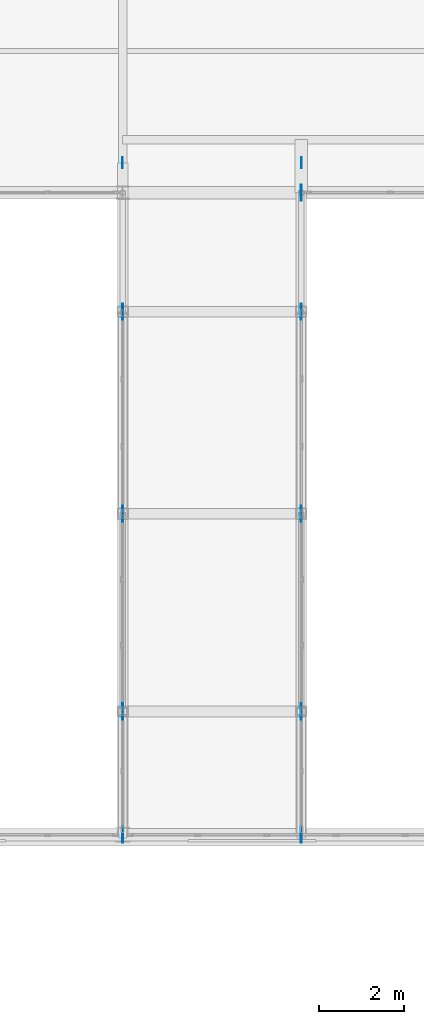
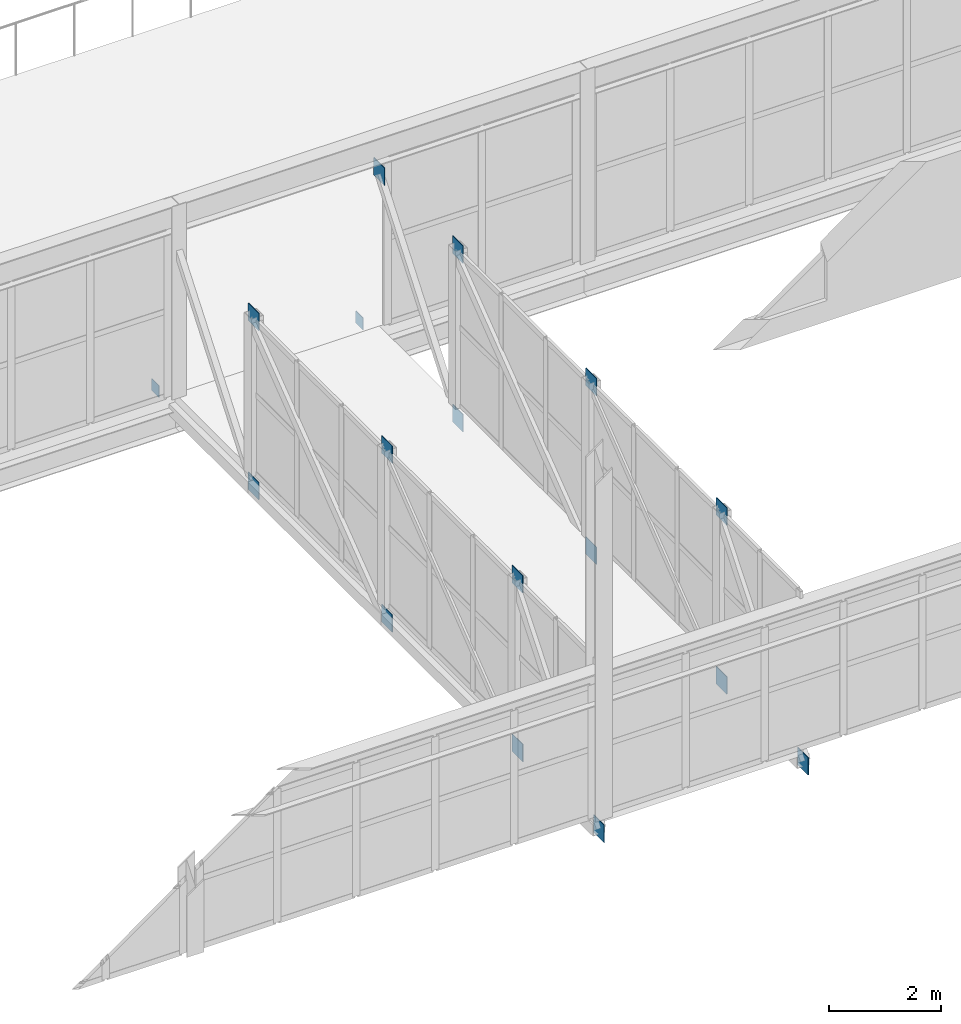
# One storey, part 196 of 218: 17 plates.
"""IFC4 building model written with IfcOpenShell, lengths in metres."""

from ifc_helpers import new_model, si_unit, direction, frame, origin, origin_2d, place, context, subcontext, project, spatial, rectangle, extrude, material, layer, layer_set, type_object, element, save


model = new_model("IFC4")

# Units and contexts
model_context = context("Model", 3, precision=1e-05, world=origin(), true_north=direction((0.0, 1.0)))
body_context = subcontext(model_context, "Body", "Model", "MODEL_VIEW")
ifc_project = project(units=[si_unit("LENGTHUNIT", "METRE"), si_unit("AREAUNIT", "SQUARE_METRE"), si_unit("VOLUMEUNIT", "CUBIC_METRE"), si_unit("PLANEANGLEUNIT", "RADIAN"), si_unit("MASSUNIT", "GRAM", prefix="KILO")], contexts=[model_context])

# Site, building, storey
site_placement = place(None, origin())
site = spatial("IfcSite", under=ifc_project, at=site_placement, CompositionType="ELEMENT")
building_placement = place(site_placement, origin())
building = spatial("IfcBuilding", under=site, at=building_placement, Name="Kazenagashi Tramway Depot", CompositionType="ELEMENT")
storey_placement = place(building_placement, frame((0.0, 0.0, 6.0)))
storey = spatial("IfcBuildingStorey", under=building, at=storey_placement, Name="L02", CompositionType="ELEMENT", Elevation=6.0)

# Plates
ifc_material = material(Name="Weathering Steel SMA490W", Category="steel")
ifc_layer_1 = layer(ifc_material, 0.012)
ifc_layer_set_1 = layer_set([ifc_layer_1], Name="Weathering Steel SMA490W")
plate_type_1 = type_object("IfcPlateType", Name="EC-04", PredefinedType="USERDEFINED", material=ifc_layer_set_1)
for number, where, z_axis, x_axis, name in (
    (1, (86.8, 70.706, -0.435), (0.0, 0.0, 1.0), (0.0, 1.0, 0.0), "Structural Node Plate EC-04 PLT-0100"),
    (2, (91.0, 70.706, -0.435), (0.0, 0.0, 1.0), (0.0, 1.0, 0.0), "Structural Node Plate EC-04 PLT-0102"),
):
    element("IfcPlate", number, at=place(storey_placement, frame(where, z_axis=z_axis, x_axis=x_axis)), inside=storey, type_object=plate_type_1, Name=name, ObjectType="END CAP PLATE", PredefinedType="USERDEFINED", context=body_context, shape_type="SweptSolid", body=[
        extrude(rectangle(XDim=0.26, YDim=0.012, at=origin_2d()), origin(), (0.0, 0.0, 1.0), 0.26),
    ])
ifc_layer_2 = layer(ifc_material, 0.014)
ifc_layer_set_2 = layer_set([ifc_layer_2], Name="Weathering Steel SMA490W")
plate_type_2 = type_object("IfcPlateType", Name="GP-05", PredefinedType="USERDEFINED", material=ifc_layer_set_2)
for number, where, z_axis, x_axis, name in (
    (3, (86.8, 54.9, -0.495), (0.0, 0.0, 1.0), (0.0, 1.0, 0.0), "Structural Node Plate GP-05 PLT-0099"),
    (4, (91.0, 54.9, -0.495), (0.0, 0.0, 1.0), (0.0, 1.0, 0.0), "Structural Node Plate GP-05 PLT-0101"),
    (5, (86.8, 57.8, 3.175), (0.0, 0.0, 1.0), (0.0, 1.0, 0.0), "Structural Node Plate GP-05 PLT-0137"),
    (6, (86.8, 57.8, -0.495), (0.0, 0.0, 1.0), (0.0, 1.0, 0.0), "Structural Node Plate GP-05 PLT-0138"),
    (7, (86.8, 62.45, 3.175), (0.0, 0.0, 1.0), (0.0, 1.0, 0.0), "Structural Node Plate GP-05 PLT-0139"),
    (8, (86.8, 62.45, -0.495), (0.0, 0.0, 1.0), (0.0, 1.0, 0.0), "Structural Node Plate GP-05 PLT-0140"),
    (9, (86.8, 67.2, 3.175), (0.0, 0.0, 1.0), (0.0, 1.0, 0.0), "Structural Node Plate GP-05 PLT-0141"),
    (10, (86.8, 67.2, -0.495), (0.0, 0.0, 1.0), (0.0, 1.0, 0.0), "Structural Node Plate GP-05 PLT-0142"),
    (11, (91.0, 57.8, 3.175), (0.0, 0.0, 1.0), (0.0, 1.0, 0.0), "Structural Node Plate GP-05 PLT-0143"),
    (12, (91.0, 57.8, -0.495), (0.0, 0.0, 1.0), (0.0, 1.0, 0.0), "Structural Node Plate GP-05 PLT-0144"),
    (13, (91.0, 62.45, 3.175), (0.0, 0.0, 1.0), (0.0, 1.0, 0.0), "Structural Node Plate GP-05 PLT-0145"),
    (14, (91.0, 62.45, -0.495), (0.0, 0.0, 1.0), (0.0, 1.0, 0.0), "Structural Node Plate GP-05 PLT-0146"),
    (15, (91.0, 67.2, 3.175), (0.0, 0.0, 1.0), (0.0, 1.0, 0.0), "Structural Node Plate GP-05 PLT-0147"),
    (16, (91.0, 67.2, -0.495), (0.0, 0.0, 1.0), (0.0, 1.0, 0.0), "Structural Node Plate GP-05 PLT-0148"),
    (17, (91.0, 70.0, 3.175), (0.0, 0.0, 1.0), (0.0, 1.0, 0.0), "Structural Node Plate GP-05 PLT-0149"),
):
    element("IfcPlate", number, at=place(storey_placement, frame(where, z_axis=z_axis, x_axis=x_axis)), inside=storey, type_object=plate_type_2, Name=name, ObjectType="GUSSET PLATE", PredefinedType="USERDEFINED", context=body_context, shape_type="SweptSolid", body=[
        extrude(rectangle(XDim=0.38, YDim=0.014, at=origin_2d()), origin(), (0.0, 0.0, 1.0), 0.38),
    ])

save(model, "model.ifc")
